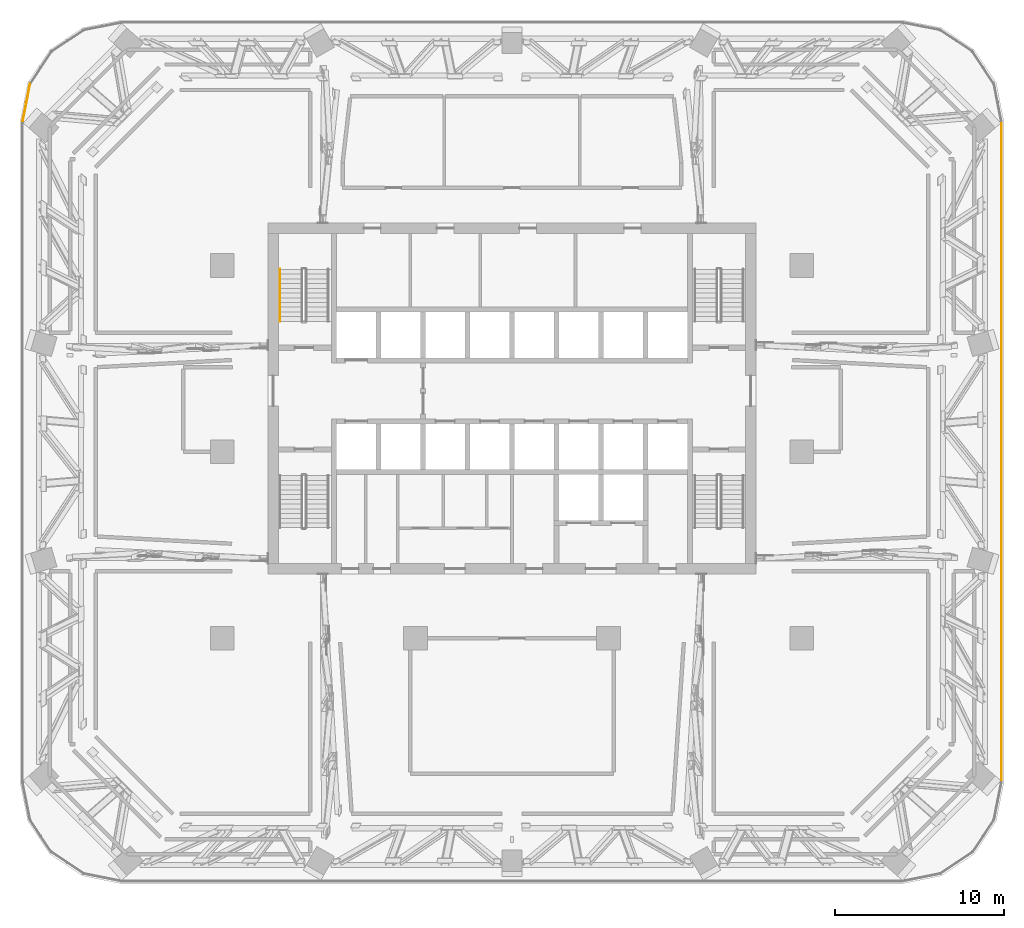
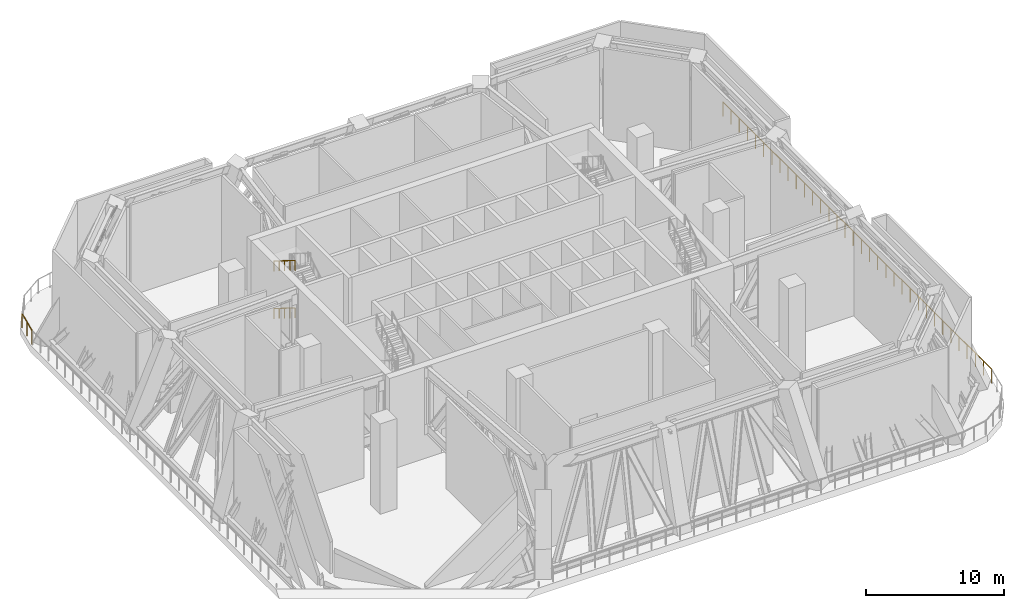
# One storey, part 21 of 24: 4 railings.
"""IFC4 building model written with IfcOpenShell, lengths in metres."""

from ifc_helpers import new_model, si_unit, direction, frame, origin, origin_2d, place, context, subcontext, project, spatial, circle, extrude, material, type_object, element, save


model = new_model("IFC4")

# Units and contexts
model_context = context("Model", 3, precision=1e-05, world=origin(), true_north=direction((0.0, 1.0)))
body_context = subcontext(model_context, "Body", "Model", "MODEL_VIEW")
ifc_project = project(units=[si_unit("LENGTHUNIT", "METRE"), si_unit("AREAUNIT", "SQUARE_METRE"), si_unit("VOLUMEUNIT", "CUBIC_METRE"), si_unit("PLANEANGLEUNIT", "RADIAN"), si_unit("MASSUNIT", "GRAM", prefix="KILO")], contexts=[model_context])

# Site, building, storey
site_placement = place(None, origin())
site = spatial("IfcSite", under=ifc_project, at=site_placement, CompositionType="ELEMENT")
building_placement = place(site_placement, origin())
building = spatial("IfcBuilding", under=site, at=building_placement, Name="Mopane Tessera Tower", CompositionType="ELEMENT")
storey_placement = place(building_placement, frame((0.0, 0.0, 148.60009765625)))
storey = spatial("IfcBuildingStorey", under=building, at=storey_placement, Name="L30", CompositionType="ELEMENT", Elevation=148.60009765625)

# Railings
ifc_material_1 = material(Name="Powder-coated steel balustrade", Category="steel")
railing_type_1 = type_object("IfcRailingType", Name="Escape stair handrail 900 mm", PredefinedType="HANDRAIL", material=ifc_material_1)
for number, where, name in (
    (1, (-13.699951171875, 10.780029296875, 2.27490234375), "L30 ST2 stair handrail 2"),
    (2, (-13.699951171875, 10.780029296875, 6.474853515625), "L30 ST2 stair handrail 4"),
):
    element("IfcRailing", number, at=place(storey_placement, frame(where)), inside=storey, type_object=railing_type_1, Name=name, PredefinedType="HANDRAIL", context=body_context, shape_type="SweptSolid", body=[
        extrude(circle(Radius=0.02392578125, at=origin_2d()), frame((0.0, 0.0, 0.8759765625), z_axis=(0.0, -0.847998304005, 0.529998940003), x_axis=(1.0, 0.0, 0.0)), (0.0, 0.0, 1.0), 3.632080078125),
        extrude(circle(Radius=0.02099609375, at=origin_2d()), origin(), (0.0, 0.0, 1.0), 0.851806640625),
        extrude(circle(Radius=0.02099609375, at=origin_2d()), frame((0.0, -0.77001953125, 0.481201171875)), (0.0, 0.0, 1.0), 0.851806640625),
        extrude(circle(Radius=0.02099609375, at=origin_2d()), frame((0.0, -1.5400390625, 0.96240234375)), (0.0, 0.0, 1.0), 0.851806640625),
        extrude(circle(Radius=0.02099609375, at=origin_2d()), frame((0.0, -2.31005859375, 1.44384765625)), (0.0, 0.0, 1.0), 0.851806640625),
        extrude(circle(Radius=0.02099609375, at=origin_2d()), frame((0.0, -3.080078125, 1.925048828125)), (0.0, 0.0, 1.0), 0.851806640625),
    ])
ifc_material_2 = material(Name="Stainless steel S316", Category="steel")
railing_type_2 = type_object("IfcRailingType", Name="Wind floor guard 1250", PredefinedType="GUARDRAIL", material=ifc_material_2)
railing_1_placement = place(storey_placement, frame((28.89990234375, -19.469970703125, 0.0)))
element("IfcRailing", 3, at=railing_1_placement, inside=storey, type_object=railing_type_2, Name="e:og:L30:5", PredefinedType="GUARDRAIL", context=body_context, shape_type="SweptSolid", body=[
    extrude(circle(Radius=0.02392578125, at=origin_2d()), frame((0.0, 0.0, 1.22607421875), z_axis=(0.0, 1.0, 0.0), x_axis=(-1.0, 0.0, 0.0)), (0.0, 0.0, 1.0), 38.93994140625),
    extrude(circle(Radius=0.02099609375, at=origin_2d()), origin(), (0.0, 0.0, 1.0), 1.201904296875),
    extrude(circle(Radius=0.02099609375, at=origin_2d()), frame((0.0, 1.179931640625, 0.0)), (0.0, 0.0, 1.0), 1.201904296875),
    extrude(circle(Radius=0.02099609375, at=origin_2d()), frame((0.0, 2.360107421875, 0.0)), (0.0, 0.0, 1.0), 1.201904296875),
    extrude(circle(Radius=0.02099609375, at=origin_2d()), frame((0.0, 3.5400390625, 0.0)), (0.0, 0.0, 1.0), 1.201904296875),
    extrude(circle(Radius=0.02099609375, at=origin_2d()), frame((0.0, 4.719970703125, 0.0)), (0.0, 0.0, 1.0), 1.201904296875),
    extrude(circle(Radius=0.02099609375, at=origin_2d()), frame((0.0, 5.89990234375, 0.0)), (0.0, 0.0, 1.0), 1.201904296875),
    extrude(circle(Radius=0.02099609375, at=origin_2d()), frame((0.0, 7.080078125, 0.0)), (0.0, 0.0, 1.0), 1.201904296875),
    extrude(circle(Radius=0.02099609375, at=origin_2d()), frame((0.0, 8.260009765625, 0.0)), (0.0, 0.0, 1.0), 1.201904296875),
    extrude(circle(Radius=0.02099609375, at=origin_2d()), frame((0.0, 9.43994140625, 0.0)), (0.0, 0.0, 1.0), 1.201904296875),
    extrude(circle(Radius=0.02099609375, at=origin_2d()), frame((0.0, 10.619873046875, 0.0)), (0.0, 0.0, 1.0), 1.201904296875),
    extrude(circle(Radius=0.02099609375, at=origin_2d()), frame((0.0, 11.800048828125, 0.0)), (0.0, 0.0, 1.0), 1.201904296875),
    extrude(circle(Radius=0.02099609375, at=origin_2d()), frame((0.0, 12.97998046875, 0.0)), (0.0, 0.0, 1.0), 1.201904296875),
    extrude(circle(Radius=0.02099609375, at=origin_2d()), frame((0.0, 14.159912109375, 0.0)), (0.0, 0.0, 1.0), 1.201904296875),
    extrude(circle(Radius=0.02099609375, at=origin_2d()), frame((0.0, 15.340087890625, 0.0)), (0.0, 0.0, 1.0), 1.201904296875),
    extrude(circle(Radius=0.02099609375, at=origin_2d()), frame((0.0, 16.52001953125, 0.0)), (0.0, 0.0, 1.0), 1.201904296875),
    extrude(circle(Radius=0.02099609375, at=origin_2d()), frame((0.0, 17.699951171875, 0.0)), (0.0, 0.0, 1.0), 1.201904296875),
    extrude(circle(Radius=0.02099609375, at=origin_2d()), frame((0.0, 18.8798828125, 0.0)), (0.0, 0.0, 1.0), 1.201904296875),
    extrude(circle(Radius=0.02099609375, at=origin_2d()), frame((0.0, 20.06005859375, 0.0)), (0.0, 0.0, 1.0), 1.201904296875),
    extrude(circle(Radius=0.02099609375, at=origin_2d()), frame((0.0, 21.239990234375, 0.0)), (0.0, 0.0, 1.0), 1.201904296875),
    extrude(circle(Radius=0.02099609375, at=origin_2d()), frame((0.0, 22.419921875, 0.0)), (0.0, 0.0, 1.0), 1.201904296875),
    extrude(circle(Radius=0.02099609375, at=origin_2d()), frame((0.0, 23.599853515625, 0.0)), (0.0, 0.0, 1.0), 1.201904296875),
    extrude(circle(Radius=0.02099609375, at=origin_2d()), frame((0.0, 24.780029296875, 0.0)), (0.0, 0.0, 1.0), 1.201904296875),
    extrude(circle(Radius=0.02099609375, at=origin_2d()), frame((0.0, 25.9599609375, 0.0)), (0.0, 0.0, 1.0), 1.201904296875),
    extrude(circle(Radius=0.02099609375, at=origin_2d()), frame((0.0, 27.139892578125, 0.0)), (0.0, 0.0, 1.0), 1.201904296875),
    extrude(circle(Radius=0.02099609375, at=origin_2d()), frame((0.0, 28.320068359375, 0.0)), (0.0, 0.0, 1.0), 1.201904296875),
    extrude(circle(Radius=0.02099609375, at=origin_2d()), frame((0.0, 29.5, 0.0)), (0.0, 0.0, 1.0), 1.201904296875),
    extrude(circle(Radius=0.02099609375, at=origin_2d()), frame((0.0, 30.679931640625, 0.0)), (0.0, 0.0, 1.0), 1.201904296875),
    extrude(circle(Radius=0.02099609375, at=origin_2d()), frame((0.0, 31.85986328125, 0.0)), (0.0, 0.0, 1.0), 1.201904296875),
    extrude(circle(Radius=0.02099609375, at=origin_2d()), frame((0.0, 33.0400390625, 0.0)), (0.0, 0.0, 1.0), 1.201904296875),
    extrude(circle(Radius=0.02099609375, at=origin_2d()), frame((0.0, 34.219970703125, 0.0)), (0.0, 0.0, 1.0), 1.201904296875),
    extrude(circle(Radius=0.02099609375, at=origin_2d()), frame((0.0, 35.39990234375, 0.0)), (0.0, 0.0, 1.0), 1.201904296875),
    extrude(circle(Radius=0.02099609375, at=origin_2d()), frame((0.0, 36.579833984375, 0.0)), (0.0, 0.0, 1.0), 1.201904296875),
    extrude(circle(Radius=0.02099609375, at=origin_2d()), frame((0.0, 37.760009765625, 0.0)), (0.0, 0.0, 1.0), 1.201904296875),
    extrude(circle(Radius=0.02099609375, at=origin_2d()), frame((0.0, 38.93994140625, 0.0)), (0.0, 0.0, 1.0), 1.201904296875),
])
railing_2_placement = place(storey_placement, frame((-28.46044921875, 21.709228515625, 0.0)))
element("IfcRailing", 4, at=railing_2_placement, inside=storey, type_object=railing_type_2, Name="e:og:L30:14", PredefinedType="GUARDRAIL", context=body_context, shape_type="SweptSolid", body=[
    extrude(circle(Radius=0.02392578125, at=origin_2d()), frame((0.0, 0.0, 1.22607421875), z_axis=(-0.195101986683, -0.980782960085, 0.0), x_axis=(0.980782960085, -0.195101986683, 0.0)), (0.0, 0.0, 1.0), 2.222412109375),
    extrude(circle(Radius=0.02099609375, at=origin_2d()), origin(), (0.0, 0.0, 1.0), 1.201904296875),
    extrude(circle(Radius=0.02099609375, at=origin_2d()), frame((-0.216796875, -1.08984375, 0.0)), (0.0, 0.0, 1.0), 1.201904296875),
    extrude(circle(Radius=0.02099609375, at=origin_2d()), frame((-0.43359375, -2.1796875, 0.0)), (0.0, 0.0, 1.0), 1.201904296875),
])

save(model, "model.ifc")
